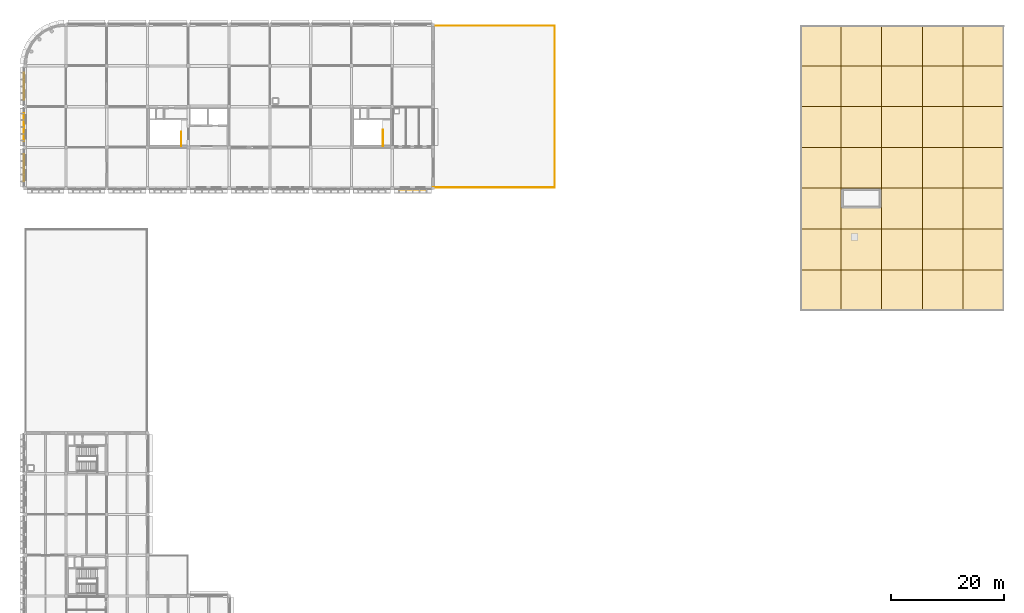
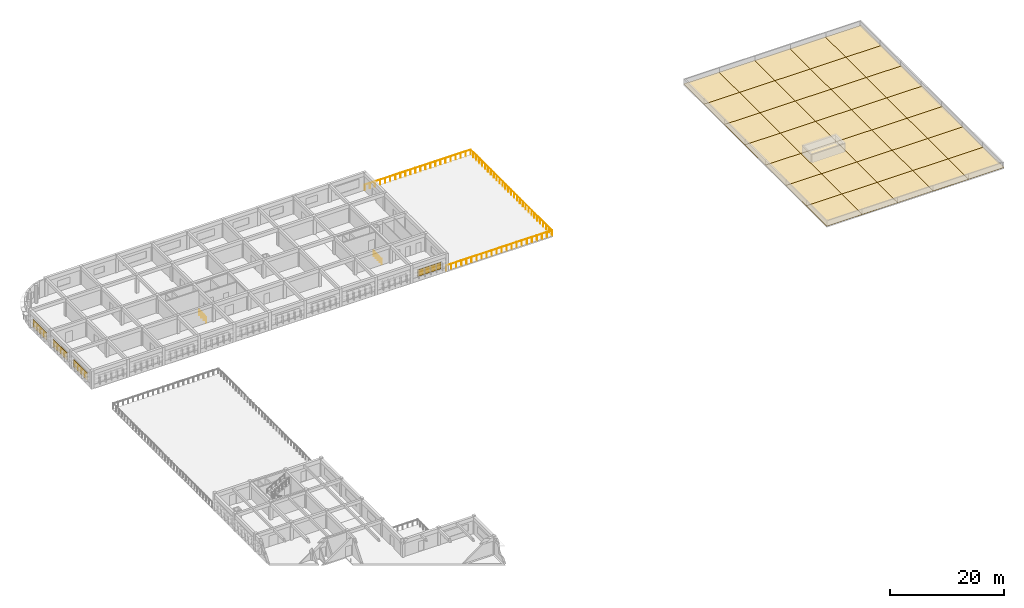
# One storey, part 22 of 22: 35 coverings, 12 railings, 4 shading devices.
"""IFC4 building model written with IfcOpenShell, lengths in metres."""

from ifc_helpers import new_model, si_unit, direction, frame, origin, origin_2d, place, context, subcontext, project, spatial, polyline, rectangle, circle, outline, extrude, material, layer, layer_set, type_object, element, save


model = new_model("IFC4")

# Units and contexts
model_context = context("Model", 3, precision=1e-05, world=origin(), true_north=direction((0.0, 1.0)))
body_context = subcontext(model_context, "Body", "Model", "MODEL_VIEW")
ifc_project = project(units=[si_unit("LENGTHUNIT", "METRE"), si_unit("AREAUNIT", "SQUARE_METRE"), si_unit("VOLUMEUNIT", "CUBIC_METRE"), si_unit("PLANEANGLEUNIT", "RADIAN"), si_unit("MASSUNIT", "GRAM", prefix="KILO")], contexts=[model_context])

# Site, building, storey
site_placement = place(None, origin())
site = spatial("IfcSite", under=ifc_project, at=site_placement, CompositionType="ELEMENT")
building_placement = place(site_placement, origin())
building = spatial("IfcBuilding", under=site, at=building_placement, Name="Thalmaran Polytechnic", CompositionType="ELEMENT")
storey_placement = place(building_placement, frame((0.0, 0.0, 22.800048828125)))
storey = spatial("IfcBuildingStorey", under=building, at=storey_placement, Name="L05", CompositionType="ELEMENT", Elevation=22.800048828125)

# Coverings
ifc_material_1 = material(Name="High-SRI standing-seam aluminium roofing", Category="aluminium")
ifc_layer_1 = layer(ifc_material_1, 0.044921875, Name="High-SRI standing-seam aluminium roofing")
ifc_layer_set_1 = layer_set([ifc_layer_1], Name="High-SRI standing-seam aluminium roofing")
covering_type = type_object("IfcCoveringType", Name="CV-RF01", PredefinedType="ROOFING", material=ifc_layer_set_1)
covering_1_placement = place(storey_placement, origin())
element("IfcCovering", 1, at=covering_1_placement, inside=storey, type_object=covering_type, Name="Insulated Cool-Roof Membrane L05-1", PredefinedType="ROOFING", context=body_context, shape_type="SweptSolid", body=[
    extrude(outline(polyline([(144.0, 72.0), (144.0, 79.199951171875), (136.800048828125, 79.199951171875), (136.800048828125, 72.0), (144.0, 72.0)])), origin(), (0.0, 0.0, 1.0), 0.044921875),
])
covering_2_placement = place(storey_placement, origin())
element("IfcCovering", 2, at=covering_2_placement, inside=storey, type_object=covering_type, Name="Insulated Cool-Roof Membrane L05-2", PredefinedType="ROOFING", context=body_context, shape_type="SweptSolid", body=[
    extrude(outline(polyline([(144.0, 79.199951171875), (144.0, 86.39990234375), (136.800048828125, 86.39990234375), (136.800048828125, 79.199951171875), (144.0, 79.199951171875)])), origin(), (0.0, 0.0, 1.0), 0.044921875),
])
covering_3_placement = place(storey_placement, origin())
element("IfcCovering", 3, at=covering_3_placement, inside=storey, type_object=covering_type, Name="Insulated Cool-Roof Membrane L05-3", PredefinedType="ROOFING", context=body_context, shape_type="SweptSolid", body=[
    extrude(outline(polyline([(144.0, 86.39990234375), (144.0, 93.60009765625), (136.800048828125, 93.60009765625), (136.800048828125, 86.39990234375), (144.0, 86.39990234375)])), origin(), (0.0, 0.0, 1.0), 0.044921875),
])
covering_4_placement = place(storey_placement, origin())
element("IfcCovering", 4, at=covering_4_placement, inside=storey, type_object=covering_type, Name="Insulated Cool-Roof Membrane L05-4", PredefinedType="ROOFING", context=body_context, shape_type="SweptSolid", body=[
    extrude(outline(polyline([(144.0, 93.60009765625), (144.0, 100.800048828125), (136.800048828125, 100.800048828125), (136.800048828125, 93.60009765625), (144.0, 93.60009765625)])), origin(), (0.0, 0.0, 1.0), 0.044921875),
])
covering_5_placement = place(storey_placement, origin())
element("IfcCovering", 5, at=covering_5_placement, inside=storey, type_object=covering_type, Name="Insulated Cool-Roof Membrane L05-5", PredefinedType="ROOFING", context=body_context, shape_type="SweptSolid", body=[
    extrude(outline(polyline([(144.0, 100.800048828125), (144.0, 108.0), (136.800048828125, 108.0), (136.800048828125, 100.800048828125), (144.0, 100.800048828125)])), origin(), (0.0, 0.0, 1.0), 0.044921875),
])
covering_6_placement = place(storey_placement, origin())
element("IfcCovering", 6, at=covering_6_placement, inside=storey, type_object=covering_type, Name="Insulated Cool-Roof Membrane L05-6", PredefinedType="ROOFING", context=body_context, shape_type="SweptSolid", body=[
    extrude(outline(polyline([(144.0, 108.0), (144.0, 115.199951171875), (136.800048828125, 115.199951171875), (136.800048828125, 108.0), (144.0, 108.0)])), origin(), (0.0, 0.0, 1.0), 0.044921875),
])
covering_7_placement = place(storey_placement, origin())
element("IfcCovering", 7, at=covering_7_placement, inside=storey, type_object=covering_type, Name="Insulated Cool-Roof Membrane L05-7", PredefinedType="ROOFING", context=body_context, shape_type="SweptSolid", body=[
    extrude(outline(polyline([(144.0, 115.199951171875), (144.0, 122.39990234375), (136.800048828125, 122.39990234375), (136.800048828125, 115.199951171875), (144.0, 115.199951171875)])), origin(), (0.0, 0.0, 1.0), 0.044921875),
])
covering_8_placement = place(storey_placement, origin())
element("IfcCovering", 8, at=covering_8_placement, inside=storey, type_object=covering_type, Name="Insulated Cool-Roof Membrane L05-8", PredefinedType="ROOFING", context=body_context, shape_type="SweptSolid", body=[
    extrude(outline(polyline([(151.199951171875, 72.0), (151.199951171875, 79.199951171875), (144.0, 79.199951171875), (144.0, 72.0), (151.199951171875, 72.0)])), origin(), (0.0, 0.0, 1.0), 0.044921875),
])
covering_9_placement = place(storey_placement, origin())
element("IfcCovering", 9, at=covering_9_placement, inside=storey, type_object=covering_type, Name="Insulated Cool-Roof Membrane L05-9", PredefinedType="ROOFING", context=body_context, shape_type="SweptSolid", body=[
    extrude(outline(polyline([(151.199951171875, 79.199951171875), (151.199951171875, 86.39990234375), (144.0, 86.39990234375), (144.0, 79.199951171875), (151.199951171875, 79.199951171875)])), origin(), (0.0, 0.0, 1.0), 0.044921875),
])
covering_10_placement = place(storey_placement, origin())
element("IfcCovering", 10, at=covering_10_placement, inside=storey, type_object=covering_type, Name="Insulated Cool-Roof Membrane L05-10", PredefinedType="ROOFING", context=body_context, shape_type="SweptSolid", body=[
    extrude(outline(polyline([(151.199951171875, 86.39990234375), (151.199951171875, 93.60009765625), (144.0, 93.60009765625), (144.0, 86.39990234375), (151.199951171875, 86.39990234375)])), origin(), (0.0, 0.0, 1.0), 0.044921875),
])
covering_11_placement = place(storey_placement, origin())
element("IfcCovering", 11, at=covering_11_placement, inside=storey, type_object=covering_type, Name="Insulated Cool-Roof Membrane L05-11", PredefinedType="ROOFING", context=body_context, shape_type="SweptSolid", body=[
    extrude(outline(polyline([(151.199951171875, 93.60009765625), (151.199951171875, 100.800048828125), (144.0, 100.800048828125), (144.0, 93.60009765625), (151.199951171875, 93.60009765625)])), origin(), (0.0, 0.0, 1.0), 0.044921875),
])
covering_12_placement = place(storey_placement, origin())
element("IfcCovering", 12, at=covering_12_placement, inside=storey, type_object=covering_type, Name="Insulated Cool-Roof Membrane L05-12", PredefinedType="ROOFING", context=body_context, shape_type="SweptSolid", body=[
    extrude(outline(polyline([(151.199951171875, 100.800048828125), (151.199951171875, 108.0), (144.0, 108.0), (144.0, 100.800048828125), (151.199951171875, 100.800048828125)])), origin(), (0.0, 0.0, 1.0), 0.044921875),
])
covering_13_placement = place(storey_placement, origin())
element("IfcCovering", 13, at=covering_13_placement, inside=storey, type_object=covering_type, Name="Insulated Cool-Roof Membrane L05-13", PredefinedType="ROOFING", context=body_context, shape_type="SweptSolid", body=[
    extrude(outline(polyline([(151.199951171875, 108.0), (151.199951171875, 115.199951171875), (144.0, 115.199951171875), (144.0, 108.0), (151.199951171875, 108.0)])), origin(), (0.0, 0.0, 1.0), 0.044921875),
])
covering_14_placement = place(storey_placement, origin())
element("IfcCovering", 14, at=covering_14_placement, inside=storey, type_object=covering_type, Name="Insulated Cool-Roof Membrane L05-14", PredefinedType="ROOFING", context=body_context, shape_type="SweptSolid", body=[
    extrude(outline(polyline([(151.199951171875, 115.199951171875), (151.199951171875, 122.39990234375), (144.0, 122.39990234375), (144.0, 115.199951171875), (151.199951171875, 115.199951171875)])), origin(), (0.0, 0.0, 1.0), 0.044921875),
])
covering_15_placement = place(storey_placement, origin())
element("IfcCovering", 15, at=covering_15_placement, inside=storey, type_object=covering_type, Name="Insulated Cool-Roof Membrane L05-15", PredefinedType="ROOFING", context=body_context, shape_type="SweptSolid", body=[
    extrude(outline(polyline([(158.39990234375, 72.0), (158.39990234375, 79.199951171875), (151.199951171875, 79.199951171875), (151.199951171875, 72.0), (158.39990234375, 72.0)])), origin(), (0.0, 0.0, 1.0), 0.044921875),
])
covering_16_placement = place(storey_placement, origin())
element("IfcCovering", 16, at=covering_16_placement, inside=storey, type_object=covering_type, Name="Insulated Cool-Roof Membrane L05-16", PredefinedType="ROOFING", context=body_context, shape_type="SweptSolid", body=[
    extrude(outline(polyline([(158.39990234375, 79.199951171875), (158.39990234375, 86.39990234375), (151.199951171875, 86.39990234375), (151.199951171875, 79.199951171875), (158.39990234375, 79.199951171875)])), origin(), (0.0, 0.0, 1.0), 0.044921875),
])
covering_17_placement = place(storey_placement, origin())
element("IfcCovering", 17, at=covering_17_placement, inside=storey, type_object=covering_type, Name="Insulated Cool-Roof Membrane L05-17", PredefinedType="ROOFING", context=body_context, shape_type="SweptSolid", body=[
    extrude(outline(polyline([(158.39990234375, 86.39990234375), (158.39990234375, 93.60009765625), (151.199951171875, 93.60009765625), (151.199951171875, 86.39990234375), (158.39990234375, 86.39990234375)])), origin(), (0.0, 0.0, 1.0), 0.044921875),
])
covering_18_placement = place(storey_placement, origin())
element("IfcCovering", 18, at=covering_18_placement, inside=storey, type_object=covering_type, Name="Insulated Cool-Roof Membrane L05-18", PredefinedType="ROOFING", context=body_context, shape_type="SweptSolid", body=[
    extrude(outline(polyline([(158.39990234375, 93.60009765625), (158.39990234375, 100.800048828125), (151.199951171875, 100.800048828125), (151.199951171875, 93.60009765625), (158.39990234375, 93.60009765625)])), origin(), (0.0, 0.0, 1.0), 0.044921875),
])
covering_19_placement = place(storey_placement, origin())
element("IfcCovering", 19, at=covering_19_placement, inside=storey, type_object=covering_type, Name="Insulated Cool-Roof Membrane L05-19", PredefinedType="ROOFING", context=body_context, shape_type="SweptSolid", body=[
    extrude(outline(polyline([(158.39990234375, 100.800048828125), (158.39990234375, 108.0), (151.199951171875, 108.0), (151.199951171875, 100.800048828125), (158.39990234375, 100.800048828125)])), origin(), (0.0, 0.0, 1.0), 0.044921875),
])
covering_20_placement = place(storey_placement, origin())
element("IfcCovering", 20, at=covering_20_placement, inside=storey, type_object=covering_type, Name="Insulated Cool-Roof Membrane L05-20", PredefinedType="ROOFING", context=body_context, shape_type="SweptSolid", body=[
    extrude(outline(polyline([(158.39990234375, 108.0), (158.39990234375, 115.199951171875), (151.199951171875, 115.199951171875), (151.199951171875, 108.0), (158.39990234375, 108.0)])), origin(), (0.0, 0.0, 1.0), 0.044921875),
])
covering_21_placement = place(storey_placement, origin())
element("IfcCovering", 21, at=covering_21_placement, inside=storey, type_object=covering_type, Name="Insulated Cool-Roof Membrane L05-21", PredefinedType="ROOFING", context=body_context, shape_type="SweptSolid", body=[
    extrude(outline(polyline([(158.39990234375, 115.199951171875), (158.39990234375, 122.39990234375), (151.199951171875, 122.39990234375), (151.199951171875, 115.199951171875), (158.39990234375, 115.199951171875)])), origin(), (0.0, 0.0, 1.0), 0.044921875),
])
covering_22_placement = place(storey_placement, origin())
element("IfcCovering", 22, at=covering_22_placement, inside=storey, type_object=covering_type, Name="Insulated Cool-Roof Membrane L05-22", PredefinedType="ROOFING", context=body_context, shape_type="SweptSolid", body=[
    extrude(outline(polyline([(165.60009765625, 72.0), (165.60009765625, 79.199951171875), (158.39990234375, 79.199951171875), (158.39990234375, 72.0), (165.60009765625, 72.0)])), origin(), (0.0, 0.0, 1.0), 0.044921875),
])
covering_23_placement = place(storey_placement, origin())
element("IfcCovering", 23, at=covering_23_placement, inside=storey, type_object=covering_type, Name="Insulated Cool-Roof Membrane L05-23", PredefinedType="ROOFING", context=body_context, shape_type="SweptSolid", body=[
    extrude(outline(polyline([(165.60009765625, 79.199951171875), (165.60009765625, 86.39990234375), (158.39990234375, 86.39990234375), (158.39990234375, 79.199951171875), (165.60009765625, 79.199951171875)])), origin(), (0.0, 0.0, 1.0), 0.044921875),
])
covering_24_placement = place(storey_placement, origin())
element("IfcCovering", 24, at=covering_24_placement, inside=storey, type_object=covering_type, Name="Insulated Cool-Roof Membrane L05-24", PredefinedType="ROOFING", context=body_context, shape_type="SweptSolid", body=[
    extrude(outline(polyline([(165.60009765625, 86.39990234375), (165.60009765625, 93.60009765625), (158.39990234375, 93.60009765625), (158.39990234375, 86.39990234375), (165.60009765625, 86.39990234375)])), origin(), (0.0, 0.0, 1.0), 0.044921875),
])
covering_25_placement = place(storey_placement, origin())
element("IfcCovering", 25, at=covering_25_placement, inside=storey, type_object=covering_type, Name="Insulated Cool-Roof Membrane L05-25", PredefinedType="ROOFING", context=body_context, shape_type="SweptSolid", body=[
    extrude(outline(polyline([(165.60009765625, 93.60009765625), (165.60009765625, 100.800048828125), (158.39990234375, 100.800048828125), (158.39990234375, 93.60009765625), (165.60009765625, 93.60009765625)])), origin(), (0.0, 0.0, 1.0), 0.044921875),
])
covering_26_placement = place(storey_placement, origin())
element("IfcCovering", 26, at=covering_26_placement, inside=storey, type_object=covering_type, Name="Insulated Cool-Roof Membrane L05-26", PredefinedType="ROOFING", context=body_context, shape_type="SweptSolid", body=[
    extrude(outline(polyline([(165.60009765625, 100.800048828125), (165.60009765625, 108.0), (158.39990234375, 108.0), (158.39990234375, 100.800048828125), (165.60009765625, 100.800048828125)])), origin(), (0.0, 0.0, 1.0), 0.044921875),
])
covering_27_placement = place(storey_placement, origin())
element("IfcCovering", 27, at=covering_27_placement, inside=storey, type_object=covering_type, Name="Insulated Cool-Roof Membrane L05-27", PredefinedType="ROOFING", context=body_context, shape_type="SweptSolid", body=[
    extrude(outline(polyline([(165.60009765625, 108.0), (165.60009765625, 115.199951171875), (158.39990234375, 115.199951171875), (158.39990234375, 108.0), (165.60009765625, 108.0)])), origin(), (0.0, 0.0, 1.0), 0.044921875),
])
covering_28_placement = place(storey_placement, origin())
element("IfcCovering", 28, at=covering_28_placement, inside=storey, type_object=covering_type, Name="Insulated Cool-Roof Membrane L05-28", PredefinedType="ROOFING", context=body_context, shape_type="SweptSolid", body=[
    extrude(outline(polyline([(165.60009765625, 115.199951171875), (165.60009765625, 122.39990234375), (158.39990234375, 122.39990234375), (158.39990234375, 115.199951171875), (165.60009765625, 115.199951171875)])), origin(), (0.0, 0.0, 1.0), 0.044921875),
])
covering_29_placement = place(storey_placement, origin())
element("IfcCovering", 29, at=covering_29_placement, inside=storey, type_object=covering_type, Name="Insulated Cool-Roof Membrane L05-29", PredefinedType="ROOFING", context=body_context, shape_type="SweptSolid", body=[
    extrude(outline(polyline([(172.800048828125, 72.0), (172.800048828125, 79.199951171875), (165.60009765625, 79.199951171875), (165.60009765625, 72.0), (172.800048828125, 72.0)])), origin(), (0.0, 0.0, 1.0), 0.044921875),
])
covering_30_placement = place(storey_placement, origin())
element("IfcCovering", 30, at=covering_30_placement, inside=storey, type_object=covering_type, Name="Insulated Cool-Roof Membrane L05-30", PredefinedType="ROOFING", context=body_context, shape_type="SweptSolid", body=[
    extrude(outline(polyline([(172.800048828125, 79.199951171875), (172.800048828125, 86.39990234375), (165.60009765625, 86.39990234375), (165.60009765625, 79.199951171875), (172.800048828125, 79.199951171875)])), origin(), (0.0, 0.0, 1.0), 0.044921875),
])
covering_31_placement = place(storey_placement, origin())
element("IfcCovering", 31, at=covering_31_placement, inside=storey, type_object=covering_type, Name="Insulated Cool-Roof Membrane L05-31", PredefinedType="ROOFING", context=body_context, shape_type="SweptSolid", body=[
    extrude(outline(polyline([(172.800048828125, 86.39990234375), (172.800048828125, 93.60009765625), (165.60009765625, 93.60009765625), (165.60009765625, 86.39990234375), (172.800048828125, 86.39990234375)])), origin(), (0.0, 0.0, 1.0), 0.044921875),
])
covering_32_placement = place(storey_placement, origin())
element("IfcCovering", 32, at=covering_32_placement, inside=storey, type_object=covering_type, Name="Insulated Cool-Roof Membrane L05-32", PredefinedType="ROOFING", context=body_context, shape_type="SweptSolid", body=[
    extrude(outline(polyline([(172.800048828125, 93.60009765625), (172.800048828125, 100.800048828125), (165.60009765625, 100.800048828125), (165.60009765625, 93.60009765625), (172.800048828125, 93.60009765625)])), origin(), (0.0, 0.0, 1.0), 0.044921875),
])
covering_33_placement = place(storey_placement, origin())
element("IfcCovering", 33, at=covering_33_placement, inside=storey, type_object=covering_type, Name="Insulated Cool-Roof Membrane L05-33", PredefinedType="ROOFING", context=body_context, shape_type="SweptSolid", body=[
    extrude(outline(polyline([(172.800048828125, 100.800048828125), (172.800048828125, 108.0), (165.60009765625, 108.0), (165.60009765625, 100.800048828125), (172.800048828125, 100.800048828125)])), origin(), (0.0, 0.0, 1.0), 0.044921875),
])
covering_34_placement = place(storey_placement, origin())
element("IfcCovering", 34, at=covering_34_placement, inside=storey, type_object=covering_type, Name="Insulated Cool-Roof Membrane L05-34", PredefinedType="ROOFING", context=body_context, shape_type="SweptSolid", body=[
    extrude(outline(polyline([(172.800048828125, 108.0), (172.800048828125, 115.199951171875), (165.60009765625, 115.199951171875), (165.60009765625, 108.0), (172.800048828125, 108.0)])), origin(), (0.0, 0.0, 1.0), 0.044921875),
])
covering_35_placement = place(storey_placement, origin())
element("IfcCovering", 35, at=covering_35_placement, inside=storey, type_object=covering_type, Name="Insulated Cool-Roof Membrane L05-35", PredefinedType="ROOFING", context=body_context, shape_type="SweptSolid", body=[
    extrude(outline(polyline([(172.800048828125, 115.199951171875), (172.800048828125, 122.39990234375), (165.60009765625, 122.39990234375), (165.60009765625, 115.199951171875), (172.800048828125, 115.199951171875)])), origin(), (0.0, 0.0, 1.0), 0.044921875),
])

# Railings
ifc_material_2 = material(Name="Stainless steel 316 and laminated glass", Category="steel")
railing_type_1 = type_object("IfcRailingType", Name="RL-BL01", PredefinedType="BALUSTRADE", material=ifc_material_2)
railing_1_placement = place(storey_placement, frame((72.010009765625, 122.300048828125, 0.0)))
element("IfcRailing", 36, at=railing_1_placement, inside=storey, type_object=railing_type_1, Name="Terrace Balustrade Guard L05-3-1", PredefinedType="BALUSTRADE", context=body_context, shape_type="SweptSolid", body=[
    extrude(circle(Radius=0.02392578125, at=origin_2d()), frame((0.0, 0.0, 1.1259765625), z_axis=(1.0, 0.0, 0.0), x_axis=(0.0, 1.0, 0.0)), (0.0, 0.0, 1.0), 7.223388671875),
    extrude(circle(Radius=0.02099609375, at=origin_2d()), origin(), (0.0, 0.0, 1.0), 1.101806640625),
    extrude(circle(Radius=0.02099609375, at=origin_2d()), frame((1.031982421875, 0.0, 0.0)), (0.0, 0.0, 1.0), 1.101806640625),
    extrude(circle(Radius=0.02099609375, at=origin_2d()), frame((2.063720703125, 0.0, 0.0)), (0.0, 0.0, 1.0), 1.101806640625),
    extrude(circle(Radius=0.02099609375, at=origin_2d()), frame((3.095703125, 0.0, 0.0)), (0.0, 0.0, 1.0), 1.101806640625),
    extrude(circle(Radius=0.02099609375, at=origin_2d()), frame((4.127685546875, 0.0, 0.0)), (0.0, 0.0, 1.0), 1.101806640625),
    extrude(circle(Radius=0.02099609375, at=origin_2d()), frame((5.15966796875, 0.0, 0.0)), (0.0, 0.0, 1.0), 1.101806640625),
    extrude(circle(Radius=0.02099609375, at=origin_2d()), frame((6.19140625, 0.0, 0.0)), (0.0, 0.0, 1.0), 1.101806640625),
    extrude(circle(Radius=0.02099609375, at=origin_2d()), frame((7.223388671875, 0.0, 0.0)), (0.0, 0.0, 1.0), 1.101806640625),
])
for number, where, name in (
    (37, (79.2333984375, 122.300048828125, 0.0), "Terrace Balustrade Guard L05-3-2"),
    (38, (86.36669921875, 122.300048828125, 0.0), "Terrace Balustrade Guard L05-3-3"),
):
    element("IfcRailing", number, at=place(storey_placement, frame(where)), inside=storey, type_object=railing_type_1, Name=name, PredefinedType="BALUSTRADE", context=body_context, shape_type="SweptSolid", body=[
        extrude(circle(Radius=0.02392578125, at=origin_2d()), frame((0.0, 0.0, 1.1259765625), z_axis=(1.0, 0.0, 0.0), x_axis=(0.0, 1.0, 0.0)), (0.0, 0.0, 1.0), 7.13330078125),
        extrude(circle(Radius=0.02099609375, at=origin_2d()), origin(), (0.0, 0.0, 1.0), 1.101806640625),
        extrude(circle(Radius=0.02099609375, at=origin_2d()), frame((1.01904296875, 0.0, 0.0)), (0.0, 0.0, 1.0), 1.101806640625),
        extrude(circle(Radius=0.02099609375, at=origin_2d()), frame((2.0380859375, 0.0, 0.0)), (0.0, 0.0, 1.0), 1.101806640625),
        extrude(circle(Radius=0.02099609375, at=origin_2d()), frame((3.05712890625, 0.0, 0.0)), (0.0, 0.0, 1.0), 1.101806640625),
        extrude(circle(Radius=0.02099609375, at=origin_2d()), frame((4.076171875, 0.0, 0.0)), (0.0, 0.0, 1.0), 1.101806640625),
        extrude(circle(Radius=0.02099609375, at=origin_2d()), frame((5.09521484375, 0.0, 0.0)), (0.0, 0.0, 1.0), 1.101806640625),
        extrude(circle(Radius=0.02099609375, at=origin_2d()), frame((6.1142578125, 0.0, 0.0)), (0.0, 0.0, 1.0), 1.101806640625),
        extrude(circle(Radius=0.02099609375, at=origin_2d()), frame((7.13330078125, 0.0, 0.0)), (0.0, 0.0, 1.0), 1.101806640625),
    ])
railing_2_placement = place(storey_placement, frame((93.5, 122.300048828125, 0.0)))
element("IfcRailing", 39, at=railing_2_placement, inside=storey, type_object=railing_type_1, Name="Terrace Balustrade Guard L05-3-4", PredefinedType="BALUSTRADE", context=body_context, shape_type="SweptSolid", body=[
    extrude(circle(Radius=0.02392578125, at=origin_2d()), frame((0.0, 0.0, 1.1259765625), z_axis=(0.0, -1.0, 0.0), x_axis=(1.0, 0.0, 0.0)), (0.0, 0.0, 1.0), 7.150146484375),
    extrude(circle(Radius=0.02099609375, at=origin_2d()), origin(), (0.0, 0.0, 1.0), 1.101806640625),
    extrude(circle(Radius=0.02099609375, at=origin_2d()), frame((0.0, -1.021484375, 0.0)), (0.0, 0.0, 1.0), 1.101806640625),
    extrude(circle(Radius=0.02099609375, at=origin_2d()), frame((0.0, -2.04296875, 0.0)), (0.0, 0.0, 1.0), 1.101806640625),
    extrude(circle(Radius=0.02099609375, at=origin_2d()), frame((0.0, -3.064453125, 0.0)), (0.0, 0.0, 1.0), 1.101806640625),
    extrude(circle(Radius=0.02099609375, at=origin_2d()), frame((0.0, -4.085693359375, 0.0)), (0.0, 0.0, 1.0), 1.101806640625),
    extrude(circle(Radius=0.02099609375, at=origin_2d()), frame((0.0, -5.107177734375, 0.0)), (0.0, 0.0, 1.0), 1.101806640625),
    extrude(circle(Radius=0.02099609375, at=origin_2d()), frame((0.0, -6.128662109375, 0.0)), (0.0, 0.0, 1.0), 1.101806640625),
    extrude(circle(Radius=0.02099609375, at=origin_2d()), frame((0.0, -7.150146484375, 0.0)), (0.0, 0.0, 1.0), 1.101806640625),
])
for number, where, name in (
    (40, (93.5, 115.14990234375, 0.0), "Terrace Balustrade Guard L05-3-5"),
    (41, (93.5, 108.0, 0.0), "Terrace Balustrade Guard L05-3-6"),
):
    element("IfcRailing", number, at=place(storey_placement, frame(where)), inside=storey, type_object=railing_type_1, Name=name, PredefinedType="BALUSTRADE", context=body_context, shape_type="SweptSolid", body=[
        extrude(circle(Radius=0.02392578125, at=origin_2d()), frame((0.0, 0.0, 1.1259765625), z_axis=(0.0, -1.0, 0.0), x_axis=(1.0, 0.0, 0.0)), (0.0, 0.0, 1.0), 7.14990234375),
        extrude(circle(Radius=0.02099609375, at=origin_2d()), origin(), (0.0, 0.0, 1.0), 1.101806640625),
        extrude(circle(Radius=0.02099609375, at=origin_2d()), frame((0.0, -1.021484375, 0.0)), (0.0, 0.0, 1.0), 1.101806640625),
        extrude(circle(Radius=0.02099609375, at=origin_2d()), frame((0.0, -2.042724609375, 0.0)), (0.0, 0.0, 1.0), 1.101806640625),
        extrude(circle(Radius=0.02099609375, at=origin_2d()), frame((0.0, -3.064208984375, 0.0)), (0.0, 0.0, 1.0), 1.101806640625),
        extrude(circle(Radius=0.02099609375, at=origin_2d()), frame((0.0, -4.085693359375, 0.0)), (0.0, 0.0, 1.0), 1.101806640625),
        extrude(circle(Radius=0.02099609375, at=origin_2d()), frame((0.0, -5.107177734375, 0.0)), (0.0, 0.0, 1.0), 1.101806640625),
        extrude(circle(Radius=0.02099609375, at=origin_2d()), frame((0.0, -6.12841796875, 0.0)), (0.0, 0.0, 1.0), 1.101806640625),
        extrude(circle(Radius=0.02099609375, at=origin_2d()), frame((0.0, -7.14990234375, 0.0)), (0.0, 0.0, 1.0), 1.101806640625),
    ])
railing_3_placement = place(storey_placement, frame((93.5, 100.85009765625, 0.0)))
element("IfcRailing", 42, at=railing_3_placement, inside=storey, type_object=railing_type_1, Name="Terrace Balustrade Guard L05-3-7", PredefinedType="BALUSTRADE", context=body_context, shape_type="SweptSolid", body=[
    extrude(circle(Radius=0.02392578125, at=origin_2d()), frame((0.0, 0.0, 1.1259765625), z_axis=(0.0, -1.0, 0.0), x_axis=(1.0, 0.0, 0.0)), (0.0, 0.0, 1.0), 7.150146484375),
    extrude(circle(Radius=0.02099609375, at=origin_2d()), origin(), (0.0, 0.0, 1.0), 1.101806640625),
    extrude(circle(Radius=0.02099609375, at=origin_2d()), frame((0.0, -1.021484375, 0.0)), (0.0, 0.0, 1.0), 1.101806640625),
    extrude(circle(Radius=0.02099609375, at=origin_2d()), frame((0.0, -2.04296875, 0.0)), (0.0, 0.0, 1.0), 1.101806640625),
    extrude(circle(Radius=0.02099609375, at=origin_2d()), frame((0.0, -3.064453125, 0.0)), (0.0, 0.0, 1.0), 1.101806640625),
    extrude(circle(Radius=0.02099609375, at=origin_2d()), frame((0.0, -4.085693359375, 0.0)), (0.0, 0.0, 1.0), 1.101806640625),
    extrude(circle(Radius=0.02099609375, at=origin_2d()), frame((0.0, -5.107177734375, 0.0)), (0.0, 0.0, 1.0), 1.101806640625),
    extrude(circle(Radius=0.02099609375, at=origin_2d()), frame((0.0, -6.128662109375, 0.0)), (0.0, 0.0, 1.0), 1.101806640625),
    extrude(circle(Radius=0.02099609375, at=origin_2d()), frame((0.0, -7.150146484375, 0.0)), (0.0, 0.0, 1.0), 1.101806640625),
])
for number, where, name in (
    (43, (93.5, 93.699951171875, 0.0), "Terrace Balustrade Guard L05-3-8"),
    (44, (86.36669921875, 93.699951171875, 0.0), "Terrace Balustrade Guard L05-3-9"),
):
    element("IfcRailing", number, at=place(storey_placement, frame(where)), inside=storey, type_object=railing_type_1, Name=name, PredefinedType="BALUSTRADE", context=body_context, shape_type="SweptSolid", body=[
        extrude(circle(Radius=0.02392578125, at=origin_2d()), frame((0.0, 0.0, 1.1259765625), z_axis=(-1.0, 0.0, 0.0), x_axis=(0.0, -1.0, 0.0)), (0.0, 0.0, 1.0), 7.13330078125),
        extrude(circle(Radius=0.02099609375, at=origin_2d()), origin(), (0.0, 0.0, 1.0), 1.101806640625),
        extrude(circle(Radius=0.02099609375, at=origin_2d()), frame((-1.01904296875, 0.0, 0.0)), (0.0, 0.0, 1.0), 1.101806640625),
        extrude(circle(Radius=0.02099609375, at=origin_2d()), frame((-2.0380859375, 0.0, 0.0)), (0.0, 0.0, 1.0), 1.101806640625),
        extrude(circle(Radius=0.02099609375, at=origin_2d()), frame((-3.05712890625, 0.0, 0.0)), (0.0, 0.0, 1.0), 1.101806640625),
        extrude(circle(Radius=0.02099609375, at=origin_2d()), frame((-4.076171875, 0.0, 0.0)), (0.0, 0.0, 1.0), 1.101806640625),
        extrude(circle(Radius=0.02099609375, at=origin_2d()), frame((-5.09521484375, 0.0, 0.0)), (0.0, 0.0, 1.0), 1.101806640625),
        extrude(circle(Radius=0.02099609375, at=origin_2d()), frame((-6.1142578125, 0.0, 0.0)), (0.0, 0.0, 1.0), 1.101806640625),
        extrude(circle(Radius=0.02099609375, at=origin_2d()), frame((-7.13330078125, 0.0, 0.0)), (0.0, 0.0, 1.0), 1.101806640625),
    ])
railing_4_placement = place(storey_placement, frame((79.2333984375, 93.699951171875, 0.0)))
element("IfcRailing", 45, at=railing_4_placement, inside=storey, type_object=railing_type_1, Name="Terrace Balustrade Guard L05-3-10", PredefinedType="BALUSTRADE", context=body_context, shape_type="SweptSolid", body=[
    extrude(circle(Radius=0.02392578125, at=origin_2d()), frame((0.0, 0.0, 1.1259765625), z_axis=(-1.0, 0.0, 0.0), x_axis=(0.0, -1.0, 0.0)), (0.0, 0.0, 1.0), 7.223388671875),
    extrude(circle(Radius=0.02099609375, at=origin_2d()), origin(), (0.0, 0.0, 1.0), 1.101806640625),
    extrude(circle(Radius=0.02099609375, at=origin_2d()), frame((-1.031982421875, 0.0, 0.0)), (0.0, 0.0, 1.0), 1.101806640625),
    extrude(circle(Radius=0.02099609375, at=origin_2d()), frame((-2.063720703125, 0.0, 0.0)), (0.0, 0.0, 1.0), 1.101806640625),
    extrude(circle(Radius=0.02099609375, at=origin_2d()), frame((-3.095703125, 0.0, 0.0)), (0.0, 0.0, 1.0), 1.101806640625),
    extrude(circle(Radius=0.02099609375, at=origin_2d()), frame((-4.127685546875, 0.0, 0.0)), (0.0, 0.0, 1.0), 1.101806640625),
    extrude(circle(Radius=0.02099609375, at=origin_2d()), frame((-5.15966796875, 0.0, 0.0)), (0.0, 0.0, 1.0), 1.101806640625),
    extrude(circle(Radius=0.02099609375, at=origin_2d()), frame((-6.19140625, 0.0, 0.0)), (0.0, 0.0, 1.0), 1.101806640625),
    extrude(circle(Radius=0.02099609375, at=origin_2d()), frame((-7.223388671875, 0.0, 0.0)), (0.0, 0.0, 1.0), 1.101806640625),
])
ifc_material_3 = material(Name="Stainless steel 316", Category="steel")
railing_type_2 = type_object("IfcRailingType", Name="RL-GR01", PredefinedType="GUARDRAIL", material=ifc_material_3)
railing_5_placement = place(storey_placement, frame((27.530029296875, 101.050048828125, 0.0)))
element("IfcRailing", 46, at=railing_5_placement, inside=storey, type_object=railing_type_2, Name="ST2 L05 Landing Edge Guardrail", PredefinedType="GUARDRAIL", context=body_context, shape_type="SweptSolid", body=[
    extrude(circle(Radius=0.02392578125, at=origin_2d()), frame((0.0, 0.0, 1.1259765625), z_axis=(0.0, 1.0, 0.0), x_axis=(-1.0, 0.0, 0.0)), (0.0, 0.0, 1.0), 2.530029296875),
    extrude(circle(Radius=0.02099609375, at=origin_2d()), origin(), (0.0, 0.0, 1.0), 1.101806640625),
    extrude(circle(Radius=0.02099609375, at=origin_2d()), frame((0.0, 0.84326171875, 0.0)), (0.0, 0.0, 1.0), 1.101806640625),
    extrude(circle(Radius=0.02099609375, at=origin_2d()), frame((0.0, 1.686767578125, 0.0)), (0.0, 0.0, 1.0), 1.101806640625),
    extrude(circle(Radius=0.02099609375, at=origin_2d()), frame((0.0, 2.530029296875, 0.0)), (0.0, 0.0, 1.0), 1.101806640625),
])
railing_6_placement = place(storey_placement, frame((63.169921875, 101.050048828125, 0.0)))
element("IfcRailing", 47, at=railing_6_placement, inside=storey, type_object=railing_type_2, Name="ST6 L05 Landing Edge Guardrail", PredefinedType="GUARDRAIL", context=body_context, shape_type="SweptSolid", body=[
    extrude(circle(Radius=0.02392578125, at=origin_2d()), frame((0.0, 0.0, 1.1259765625), z_axis=(0.0, 1.0, 0.0), x_axis=(-1.0, 0.0, 0.0)), (0.0, 0.0, 1.0), 2.869873046875),
    extrude(circle(Radius=0.02099609375, at=origin_2d()), origin(), (0.0, 0.0, 1.0), 1.101806640625),
    extrude(circle(Radius=0.02099609375, at=origin_2d()), frame((0.0, 0.717529296875, 0.0)), (0.0, 0.0, 1.0), 1.101806640625),
    extrude(circle(Radius=0.02099609375, at=origin_2d()), frame((0.0, 1.43505859375, 0.0)), (0.0, 0.0, 1.0), 1.101806640625),
    extrude(circle(Radius=0.02099609375, at=origin_2d()), frame((0.0, 2.15234375, 0.0)), (0.0, 0.0, 1.0), 1.101806640625),
    extrude(circle(Radius=0.02099609375, at=origin_2d()), frame((0.0, 2.869873046875, 0.0)), (0.0, 0.0, 1.0), 1.101806640625),
])

# Shading devices
ifc_material_4 = material(Name="Perforated anodised-bronze aluminium screen", Category="aluminium")
ifc_layer_2 = layer(ifc_material_4, 0.080078125, Name="Perforated anodised-bronze aluminium screen")
ifc_layer_set_2 = layer_set([ifc_layer_2], Name="Perforated anodised-bronze aluminium screen")
shading_device_type = type_object("IfcShadingDeviceType", Name="SH-JL01", PredefinedType="JALOUSIE", material=ifc_layer_set_2)
shading_device_1_placement = place(storey_placement, frame((-0.219970703125, 97.199951171875, 1.02490234375), z_axis=(0.0, 0.0, 1.0), x_axis=(0.0, 1.0, 0.0)))
element("IfcShadingDevice", 48, at=shading_device_1_placement, inside=storey, type_object=shading_device_type, Name="Anodised-Bronze Mashrabiya Solar Screen L05-001", PredefinedType="JALOUSIE", context=body_context, shape_type="SweptSolid", body=[
    extrude(rectangle(XDim=4.798828125, YDim=0.080078125, at=origin_2d()), origin(), (0.0, 0.0, 1.0), 1.64990234375),
])
shading_device_2_placement = place(storey_placement, frame((-0.219970703125, 104.39990234375, 1.02490234375), z_axis=(0.0, 0.0, 1.0), x_axis=(0.0, 1.0, 0.0)))
element("IfcShadingDevice", 49, at=shading_device_2_placement, inside=storey, type_object=shading_device_type, Name="Anodised-Bronze Mashrabiya Solar Screen L05-002", PredefinedType="JALOUSIE", context=body_context, shape_type="SweptSolid", body=[
    extrude(rectangle(XDim=4.81689453125, YDim=0.080078125, at=origin_2d()), origin(), (0.0, 0.0, 1.0), 1.60009765625),
])
shading_device_3_placement = place(storey_placement, frame((-0.219970703125, 111.60009765625, 1.02490234375), z_axis=(0.0, 0.0, 1.0), x_axis=(0.0, 1.0, 0.0)))
element("IfcShadingDevice", 50, at=shading_device_3_placement, inside=storey, type_object=shading_device_type, Name="Anodised-Bronze Mashrabiya Solar Screen L05-003", PredefinedType="JALOUSIE", context=body_context, shape_type="SweptSolid", body=[
    extrude(rectangle(XDim=4.795166015625, YDim=0.080078125, at=origin_2d()), origin(), (0.0, 0.0, 1.0), 1.550048828125),
])
shading_device_4_placement = place(storey_placement, frame((68.39990234375, 93.3798828125, 1.02490234375), z_axis=(0.0, 0.0, 1.0), x_axis=(-1.0, 0.0, 0.0)))
element("IfcShadingDevice", 51, at=shading_device_4_placement, inside=storey, type_object=shading_device_type, Name="Anodised-Bronze Mashrabiya Solar Screen L05-025", PredefinedType="JALOUSIE", context=body_context, shape_type="SweptSolid", body=[
    extrude(rectangle(XDim=4.795166015625, YDim=0.080078125, at=origin_2d()), origin(), (0.0, 0.0, 1.0), 1.449951171875),
])

save(model, "model.ifc")
